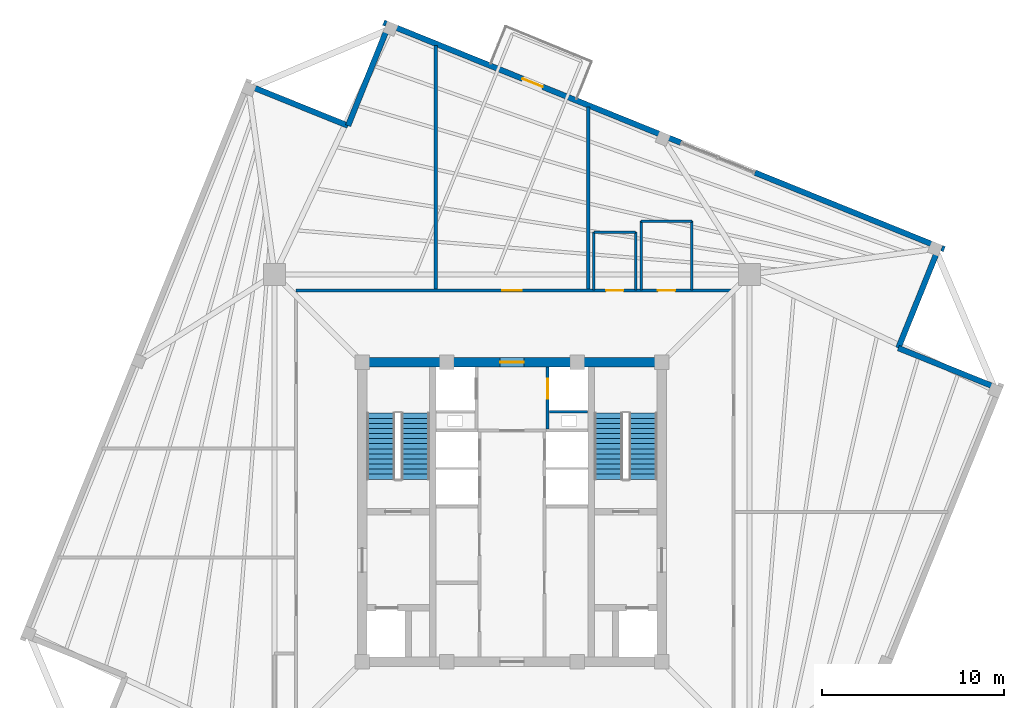
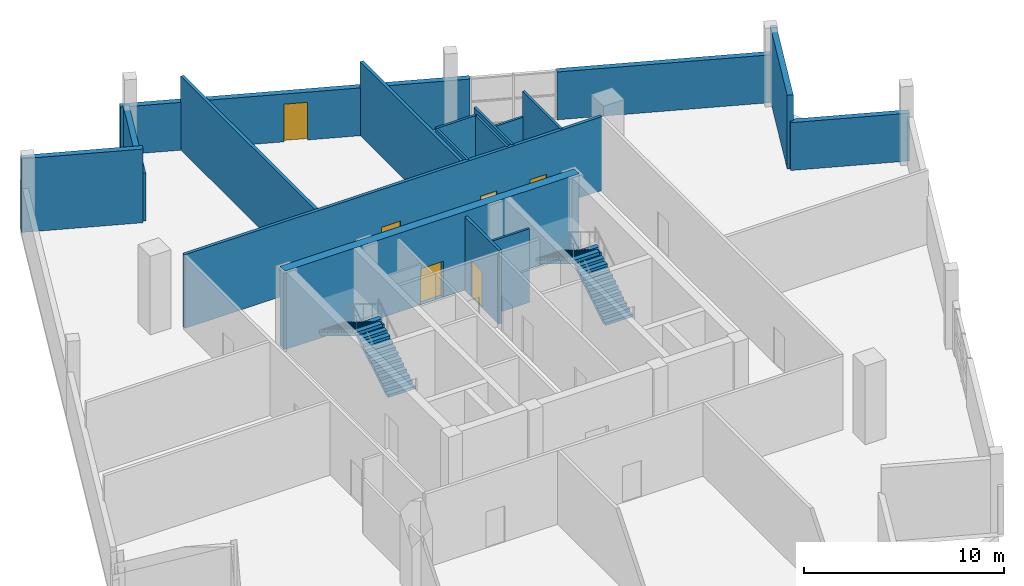
# One storey, part 7 of 9: 18 walls, 6 doors, 4 stair flights, 6 openings, 2 elements without a shape of their own.
"""IFC4 building model written with IfcOpenShell, lengths in metres."""

from ifc_helpers import new_model, si_unit, direction, frame, frame_2d, origin, place, context, subcontext, project, spatial, polyline, rectangle, outline, extrude, source, transform, mapped, material, layer, layer_set, type_object, element, fill, aggregate, save


model = new_model("IFC4")

# Units and contexts
model_context = context("Model", 3, precision=1e-05, world=origin(), true_north=direction((0.0, 1.0)))
body_context = subcontext(model_context, "Body", "Model", "MODEL_VIEW")
ifc_project = project(units=[si_unit("LENGTHUNIT", "METRE"), si_unit("AREAUNIT", "SQUARE_METRE"), si_unit("VOLUMEUNIT", "CUBIC_METRE"), si_unit("PLANEANGLEUNIT", "RADIAN"), si_unit("MASSUNIT", "GRAM", prefix="KILO"), si_unit("THERMODYNAMICTEMPERATUREUNIT", "KELVIN")], contexts=[model_context])

# Site, building, storey
site_placement = place(None, origin())
site = spatial("IfcSite", under=ifc_project, at=site_placement, CompositionType="ELEMENT")
building_placement = place(site_placement, origin())
building = spatial("IfcBuilding", under=site, at=building_placement, Name="Kosmvard Interchange Tower", CompositionType="ELEMENT")
storey_placement = place(building_placement, frame((0.0, 0.0, 316.800048828125)))
storey = spatial("IfcBuildingStorey", under=building, at=storey_placement, Name="L78", CompositionType="ELEMENT", Elevation=316.800048828125)

# Wall, opening, door
ifc_material_1 = material(Name="Fire-rated gypsum partition system")
ifc_layer_1 = layer(ifc_material_1, 0.159912109375, Name="Fire-rated gypsum partition system")
ifc_layer_set_1 = layer_set([ifc_layer_1], Name="Fire-rated gypsum partition system")
wall_type_1 = type_object("IfcWallType", Name="Core Compartment & Shuttle Lobby Partition 160", PredefinedType="PARTITIONING", material=ifc_layer_set_1)
wall_1_placement = place(storey_placement, frame((1.9599609375, 4.580078125, 0.0), z_axis=(0.0, 0.0, 1.0), x_axis=(0.0, 1.0, 0.0)))
wall_1 = element("IfcWall", 1, at=wall_1_placement, inside=storey, type_object=wall_type_1, Name="L78 North Core East Wall", PredefinedType="PARTITIONING", context=body_context, shape_type="SweptSolid", body=[
    extrude(rectangle(XDim=3.39990234375, YDim=0.159912109375, at=frame_2d((1.699951171875, 0.0))), origin(), (0.0, 0.0, 1.0), 4.5),
])
opening_1_placement = place(wall_1_placement, frame((1.669921875, 0.0, 0.0)))
opening_1 = element("IfcOpeningElement", 2, at=opening_1_placement, cuts=wall_1, Name="Opening LD-OBS2-L78", PredefinedType="OPENING", context=body_context, shape_type="SweptSolid", body=[
    extrude(rectangle(XDim=1.10009765625, YDim=2.199951171875, at=frame_2d((0.550048828125, 1.10009765625))), frame((0.0, 0.08984375, 0.0), z_axis=(0.0, -1.0, 0.0), x_axis=(1.0, 0.0, 0.0)), (0.0, 0.0, 1.0), 0.179931640625),
])
ifc_material_2 = material(Name="Brushed stainless steel sliding leaf", Category="steel")
door_type_1 = type_object("IfcDoorType", Name="Passenger Lift Sliding Landing Door 1100x2200 EI60", OperationType="DOUBLE_DOOR_SLIDING", PredefinedType="DOOR", material=ifc_material_2)
shared_shape_1 = source(origin(), body_context, "Body", "SweptSolid", [
    extrude(rectangle(XDim=1.10009765625, YDim=2.199951171875, at=frame_2d((0.550048828125, 1.10009765625))), frame((0.0, 0.02490234375, 0.0), z_axis=(0.0, -1.0, 0.0), x_axis=(1.0, 0.0, 0.0)), (0.0, 0.0, 1.0), 0.050048828125),
])
door_1_placement = place(opening_1_placement, origin())
door_1 = element("IfcDoor", 3, at=door_1_placement, inside=storey, type_object=door_type_1, Name="Lift OBS-2 Landing Door L78", OperationType="DOUBLE_DOOR_SLIDING", OverallHeight=2.199951171875, OverallWidth=1.10009765625, PredefinedType="DOOR", context=body_context, shape_type="MappedRepresentation", body=[
    mapped(shared_shape_1, transform((0.0, 0.0, 0.0), scale=1.0)),
])
fill(opening_1, door_1)

# Wall, openings, doors
ifc_layer_2 = layer(ifc_material_1, 0.179931640625, Name="Fire-rated gypsum partition system")
ifc_layer_set_2 = layer_set([ifc_layer_2], Name="Fire-rated gypsum partition system")
wall_type_2 = type_object("IfcWallType", Name="Corridor & Hotel Compartment Partition 180", PredefinedType="PARTITIONING", material=ifc_layer_set_2)
wall_2_placement = place(storey_placement, frame((-11.89990234375, 12.199951171875, 0.0), z_axis=(0.0, 0.0, 1.0), x_axis=(1.0, 0.0, 0.0)))
wall_2 = element("IfcWall", 4, at=wall_2_placement, inside=storey, type_object=wall_type_2, Name="L78 Corridor Wall CN", PredefinedType="PARTITIONING", context=body_context, shape_type="SweptSolid", body=[
    extrude(rectangle(XDim=24.099853515625, YDim=0.179931640625, at=frame_2d((12.0498046875, 0.0))), origin(), (0.0, 0.0, 1.0), 4.5),
])
opening_2_placement = place(wall_2_placement, frame((17.086181640625, 0.0, 0.0)))
opening_2 = element("IfcOpeningElement", 5, at=opening_2_placement, cuts=wall_2, Name="Opening L78-D01", PredefinedType="OPENING", context=body_context, shape_type="SweptSolid", body=[
    extrude(rectangle(XDim=0.949951171875, YDim=2.10009765625, at=frame_2d((0.47509765625, 1.050048828125))), frame((0.0, 0.10009765625, 0.0), z_axis=(0.0, -1.0, 0.0), x_axis=(1.0, 0.0, 0.0)), (0.0, 0.0, 1.0), 0.199951171875),
])
opening_3_placement = place(wall_2_placement, frame((19.93505859375, 0.0, 0.0)))
opening_3 = element("IfcOpeningElement", 6, at=opening_3_placement, cuts=wall_2, Name="Opening L78-D02", PredefinedType="OPENING", context=body_context, shape_type="SweptSolid", body=[
    extrude(rectangle(XDim=0.949951171875, YDim=2.10009765625, at=frame_2d((0.47509765625, 1.050048828125))), frame((0.0, 0.10009765625, 0.0), z_axis=(0.0, -1.0, 0.0), x_axis=(1.0, 0.0, 0.0)), (0.0, 0.0, 1.0), 0.199951171875),
])
opening_4_placement = place(wall_2_placement, frame((11.35009765625, 0.0, 0.0)))
opening_4 = element("IfcOpeningElement", 7, at=opening_4_placement, cuts=wall_2, Name="Opening L78-D04", PredefinedType="OPENING", context=body_context, shape_type="SweptSolid", body=[
    extrude(rectangle(XDim=1.10009765625, YDim=2.199951171875, at=frame_2d((0.550048828125, 1.10009765625))), frame((0.0, 0.10009765625, 0.0), z_axis=(0.0, -1.0, 0.0), x_axis=(1.0, 0.0, 0.0)), (0.0, 0.0, 1.0), 0.199951171875),
])
ifc_material_3 = material(Name="Laminated moisture-resistant timber", Category="wood")
door_type_2 = type_object("IfcDoorType", Name="Accessible Washroom Door 950x2100", OperationType="NOTDEFINED", PredefinedType="DOOR", material=ifc_material_3)
shared_shape_2 = source(origin(), body_context, "Body", "SweptSolid", [
    extrude(rectangle(XDim=0.949951171875, YDim=2.10009765625, at=frame_2d((0.47509765625, 1.050048828125))), frame((0.0, 0.02490234375, 0.0), z_axis=(0.0, -1.0, 0.0), x_axis=(1.0, 0.0, 0.0)), (0.0, 0.0, 1.0), 0.050048828125),
])
door_2_placement = place(opening_2_placement, origin())
door_2 = element("IfcDoor", 8, at=door_2_placement, inside=storey, type_object=door_type_2, Name="L78 Accessible Public Toilet Door", OperationType="SINGLE_SWING_LEFT", OverallHeight=2.10009765625, OverallWidth=0.949951171875, PredefinedType="DOOR", context=body_context, shape_type="MappedRepresentation", body=[
    mapped(shared_shape_2, transform((0.0, 0.0, 0.0), scale=1.0)),
])
fill(opening_2, door_2)
door_3_placement = place(opening_3_placement, origin())
door_3 = element("IfcDoor", 9, at=door_3_placement, inside=storey, type_object=door_type_2, Name="L78 Public Lookout Washroom Door", OperationType="SINGLE_SWING_RIGHT", OverallHeight=2.10009765625, OverallWidth=0.949951171875, PredefinedType="DOOR", context=body_context, shape_type="MappedRepresentation", body=[
    mapped(shared_shape_2, transform((0.0, 0.0, 0.0), scale=1.0)),
])
fill(opening_3, door_3)
ifc_material_4 = material(Name="Engineered oak fire-rated timber", Category="wood")
door_type_3 = type_object("IfcDoorType", Name="Office Suite Entrance Door 1100x2200 FD30S", OperationType="NOTDEFINED", PredefinedType="DOOR", material=ifc_material_4)
door_4_placement = place(opening_4_placement, origin())
door_4 = element("IfcDoor", 10, at=door_4_placement, inside=storey, type_object=door_type_3, Name="L78 Panoramic Lookout Gallery East Door", OperationType="SINGLE_SWING_RIGHT", OverallHeight=2.199951171875, OverallWidth=1.10009765625, PredefinedType="DOOR", context=body_context, shape_type="MappedRepresentation", body=[
    mapped(shared_shape_1, transform((0.0, 0.0, 0.0), scale=1.0)),
])
fill(opening_4, door_4)

# Walls
wall_3_placement = place(storey_placement, frame((-4.199951171875, 12.294921875, 0.0), z_axis=(0.0, 0.0, 1.0), x_axis=(0.0, 1.0, 0.0)))
element("IfcWall", 11, at=wall_3_placement, inside=storey, type_object=wall_type_2, Name="L78 Room Partition 01.1", PredefinedType="PARTITIONING", context=body_context, shape_type="SweptSolid", body=[
    extrude(rectangle(XDim=13.40478515625, YDim=0.179931640625, at=frame_2d((6.702392578125, 0.0))), origin(), (0.0, 0.0, 1.0), 4.5),
])
wall_4_placement = place(storey_placement, frame((4.199951171875, 12.294921875, 0.0), z_axis=(0.0, 0.0, 1.0), x_axis=(0.0, 1.0, 0.0)))
element("IfcWall", 12, at=wall_4_placement, inside=storey, type_object=wall_type_2, Name="L78 Room Partition 02.1", PredefinedType="PARTITIONING", context=body_context, shape_type="SweptSolid", body=[
    extrude(rectangle(XDim=10.010986328125, YDim=0.179931640625, at=frame_2d((5.00537109375, 0.0))), origin(), (0.0, 0.0, 1.0), 4.5),
])
ifc_material_5 = material(Name="Fire-rated gypsum shaftwall system")
ifc_layer_3 = layer(ifc_material_5, 0.1201171875, Name="Fire-rated gypsum shaftwall system")
ifc_layer_set_3 = layer_set([ifc_layer_3], Name="Fire-rated gypsum shaftwall system")
wall_type_3 = type_object("IfcWallType", Name="Shaft & Riser Fire Partition 120 EI60", PredefinedType="PARTITIONING", material=ifc_layer_set_3)
wall_5_placement = place(storey_placement, frame((2.06005859375, 5.52001953125, 0.0), z_axis=(0.0, 0.0, 1.0), x_axis=(1.0, 0.0, 0.0)))
element("IfcWall", 13, at=wall_5_placement, inside=storey, type_object=wall_type_3, Name="L78 Riser Shaft Divider E", PredefinedType="PARTITIONING", context=body_context, shape_type="SweptSolid", body=[
    extrude(rectangle(XDim=2.099853515625, YDim=0.1201171875, at=frame_2d((1.0498046875, 0.0))), origin(), (0.0, 0.0, 1.0), 4.5),
])

# Wall, opening, door
ifc_material_6 = material(Name="Concrete C60/75", Category="concrete")
ifc_layer_4 = layer(ifc_material_6, 0.5, Name="Concrete C60/75")
ifc_layer_set_4 = layer_set([ifc_layer_4], Name="Concrete C60/75")
wall_type_4 = type_object("IfcWallType", Name="Upper Core Shear Wall 500 C60/75", PredefinedType="SHEAR", material=ifc_layer_set_4)
wall_6_placement = place(storey_placement, frame((-8.5, 8.25, 0.0), z_axis=(0.0, 0.0, 1.0), x_axis=(1.0, 0.0, 0.0)))
wall_6 = element("IfcWall", 14, at=wall_6_placement, inside=storey, type_object=wall_type_4, Name="L78 Core Shear Wall CW-N", PredefinedType="SHEAR", context=body_context, shape_type="SweptSolid", body=[
    extrude(rectangle(XDim=17.0, YDim=0.5, at=frame_2d((8.5, 0.0))), origin(), (0.0, 0.0, 1.0), 4.800048828125),
])
opening_5_placement = place(wall_6_placement, frame((7.85009765625, 0.0, 0.0)))
opening_5 = element("IfcOpeningElement", 15, at=opening_5_placement, cuts=wall_6, Name="Opening L78-OD2", PredefinedType="OPENING", context=body_context, shape_type="SweptSolid", body=[
    extrude(rectangle(XDim=1.300048828125, YDim=2.199951171875, at=frame_2d((0.64990234375, 1.10009765625))), frame((0.0, 0.260009765625, 0.0), z_axis=(0.0, -1.0, 0.0), x_axis=(1.0, 0.0, 0.0)), (0.0, 0.0, 1.0), 0.52001953125),
])
ifc_material_7 = material(Name="Painted fire-rated steel leaf", Category="steel")
door_type_4 = type_object("IfcDoorType", Name="Firefighting Lobby Door 1300x2200 EI60", OperationType="NOTDEFINED", PredefinedType="DOOR", material=ifc_material_7)
shared_shape_3 = source(origin(), body_context, "Body", "SweptSolid", [
    extrude(rectangle(XDim=1.300048828125, YDim=2.199951171875, at=frame_2d((0.64990234375, 1.10009765625))), frame((0.0, 0.02490234375, 0.0), z_axis=(0.0, -1.0, 0.0), x_axis=(1.0, 0.0, 0.0)), (0.0, 0.0, 1.0), 0.050048828125),
])
door_5_placement = place(opening_5_placement, origin())
door_5 = element("IfcDoor", 16, at=door_5_placement, inside=storey, type_object=door_type_4, Name="L78 Shuttle Lobby North Door", OperationType="SINGLE_SWING_RIGHT", OverallHeight=2.199951171875, OverallWidth=1.300048828125, PredefinedType="DOOR", context=body_context, shape_type="MappedRepresentation", body=[
    mapped(shared_shape_3, transform((0.0, 0.0, 0.0), scale=1.0)),
])
fill(opening_5, door_5)

# Walls
ifc_material_8 = material(Name="Precast concrete C45/55", Category="concrete")
ifc_layer_5 = layer(ifc_material_8, 0.31005859375, Name="Precast concrete C45/55")
ifc_layer_set_5 = layer_set([ifc_layer_5], Name="Precast concrete C45/55")
wall_type_5 = type_object("IfcWallType", Name="Upper Tower Precast Pier Wall 310 C45/55", PredefinedType="STANDARD", material=ifc_layer_set_5)
wall_7_placement = place(storey_placement, frame((26.8408203125, 6.7841796875, 0.0), z_axis=(0.0, 0.0, 1.0), x_axis=(-0.927171722085, 0.374636620962, 0.0)))
element("IfcWall", 17, at=wall_7_placement, inside=storey, type_object=wall_type_5, Name="L78 Corner Precast Pier N-SE1", PredefinedType="STANDARD", context=body_context, shape_type="SweptSolid", body=[
    extrude(rectangle(XDim=6.0, YDim=0.31005859375, at=frame_2d((3.0, 0.0))), origin(), (0.0, 0.0, 1.0), 2.919921875),
])
wall_8_placement = place(storey_placement, frame((21.27783203125, 9.031982421875, 0.0), z_axis=(0.0, 0.0, 1.0), x_axis=(0.374602739196, 0.927185411764, 0.0)))
element("IfcWall", 18, at=wall_8_placement, inside=storey, type_object=wall_type_5, Name="L78 Corner Precast Pier N-SE2", PredefinedType="STANDARD", context=body_context, shape_type="SweptSolid", body=[
    extrude(rectangle(XDim=6.155029296875, YDim=0.31005859375, at=frame_2d((3.07763671875, 0.0))), origin(), (0.0, 0.0, 1.0), 4.5),
])
wall_9_placement = place(storey_placement, frame((-6.7841796875, 26.8408203125, 0.0), z_axis=(0.0, 0.0, 1.0), x_axis=(-0.374636620962, -0.927171722085, 0.0)))
element("IfcWall", 19, at=wall_9_placement, inside=storey, type_object=wall_type_5, Name="L78 Corner Precast Pier N-NE1", PredefinedType="STANDARD", context=body_context, shape_type="SweptSolid", body=[
    extrude(rectangle(XDim=6.0, YDim=0.31005859375, at=frame_2d((3.0, 0.0))), origin(), (0.0, 0.0, 1.0), 2.919921875),
])
wall_10_placement = place(storey_placement, frame((-9.031982421875, 21.27783203125, 0.0), z_axis=(0.0, 0.0, 1.0), x_axis=(-0.927185411764, 0.374602739196, 0.0)))
element("IfcWall", 20, at=wall_10_placement, inside=storey, type_object=wall_type_5, Name="L78 Corner Precast Pier N-NE2", PredefinedType="STANDARD", context=body_context, shape_type="SweptSolid", body=[
    extrude(rectangle(XDim=6.155029296875, YDim=0.31005859375, at=frame_2d((3.07763671875, 0.0))), origin(), (0.0, 0.0, 1.0), 4.5),
])
wall_11_placement = place(storey_placement, frame((23.812744140625, 14.478759765625, 0.0), z_axis=(0.0, 0.0, 1.0), x_axis=(-0.927178527544, 0.374619777991, 0.0)))
element("IfcWall", 21, at=wall_11_placement, inside=storey, type_object=wall_type_5, Name="L78 Facade Pier Wall EA", PredefinedType="STANDARD", context=body_context, shape_type="SweptSolid", body=[
    extrude(rectangle(XDim=11.2548828125, YDim=0.31005859375, at=frame_2d((5.62744140625, 0.0))), origin(), (0.0, 0.0, 1.0), 2.919921875),
])

# Wall, opening, door
wall_12_placement = place(storey_placement, frame((9.2978515625, 20.34326171875, 0.0), z_axis=(0.0, 0.0, 1.0), x_axis=(-0.927183654967, 0.374607087443, 0.0)))
wall_12 = element("IfcWall", 22, at=wall_12_placement, inside=storey, type_object=wall_type_5, Name="L78 Facade Pier Wall EB", PredefinedType="STANDARD", context=body_context, shape_type="SweptSolid", body=[
    extrude(rectangle(XDim=17.6552734375, YDim=0.31005859375, at=frame_2d((8.82763671875, 0.0))), origin(), (0.0, 0.0, 1.0), 2.919921875),
])
opening_6_placement = place(wall_12_placement, frame((8.199951171875, 0.0, 0.0)))
opening_6 = element("IfcOpeningElement", 23, at=opening_6_placement, cuts=wall_12, Name="Opening L78-TDE", PredefinedType="OPENING", context=body_context, shape_type="SweptSolid", body=[
    extrude(rectangle(XDim=1.199951171875, YDim=2.300048828125, at=frame_2d((0.60009765625, 1.14990234375))), frame((0.0, 0.1650390625, 0.0), z_axis=(0.0, -1.0, 0.0), x_axis=(1.0, 0.0, 0.0)), (0.0, 0.0, 1.0), 0.330078125),
])
ifc_material_9 = material(Name="Anodised aluminium and safety glass", Category="aluminium")
door_type_5 = type_object("IfcDoorType", Name="Cascade Terrace Glazed Door 1200x2300", OperationType="NOTDEFINED", PredefinedType="DOOR", material=ifc_material_9)
shared_shape_4 = source(origin(), body_context, "Body", "SweptSolid", [
    extrude(rectangle(XDim=1.199951171875, YDim=2.300048828125, at=frame_2d((0.60009765625, 1.14990234375))), frame((0.0, 0.02490234375, 0.0), z_axis=(0.0, -1.0, 0.0), x_axis=(1.0, 0.0, 0.0)), (0.0, 0.0, 1.0), 0.050048828125),
])
door_6_placement = place(opening_6_placement, origin())
door_6 = element("IfcDoor", 24, at=door_6_placement, inside=storey, type_object=door_type_5, Name="L78 Terrace Access Door OBD-L78-E", OperationType="SINGLE_SWING_LEFT", OverallHeight=2.300048828125, OverallWidth=1.199951171875, PredefinedType="DOOR", context=body_context, shape_type="MappedRepresentation", body=[
    mapped(shared_shape_4, transform((0.0, 0.0, 0.0), scale=1.0)),
])
fill(opening_6, door_6)

# Walls
ifc_material_10 = material(Name="Moisture-resistant gypsum partition")
ifc_layer_6 = layer(ifc_material_10, 0.135009765625, Name="Moisture-resistant gypsum partition")
ifc_layer_set_6 = layer_set([ifc_layer_6], Name="Moisture-resistant gypsum partition")
wall_type_6 = type_object("IfcWallType", Name="Wet Room Moisture-Resistant Partition 135", PredefinedType="PARTITIONING", material=ifc_layer_set_6)
wall_13_placement = place(storey_placement, frame((6.81103515625, 12.219970703125, 0.0), z_axis=(0.0, 0.0, 1.0), x_axis=(0.0, 1.0, 0.0)))
element("IfcWall", 25, at=wall_13_placement, inside=storey, type_object=wall_type_6, Name="L78 Washroom Partition AWC1-E", PredefinedType="PARTITIONING", context=body_context, shape_type="SweptSolid", body=[
    extrude(rectangle(XDim=3.199951171875, YDim=0.135009765625, at=frame_2d((1.60009765625, 0.0))), origin(), (0.0, 0.0, 1.0), 4.5),
])
wall_14_placement = place(storey_placement, frame((4.510986328125, 15.419921875, 0.0), z_axis=(0.0, 0.0, 1.0), x_axis=(1.0, 0.0, 0.0)))
element("IfcWall", 26, at=wall_14_placement, inside=storey, type_object=wall_type_6, Name="L78 Washroom Partition AWC1-N", PredefinedType="PARTITIONING", context=body_context, shape_type="SweptSolid", body=[
    extrude(rectangle(XDim=2.300048828125, YDim=0.135009765625, at=frame_2d((1.14990234375, 0.0))), origin(), (0.0, 0.0, 1.0), 4.5),
])
wall_15_placement = place(storey_placement, frame((4.510986328125, 12.219970703125, 0.0), z_axis=(0.0, 0.0, 1.0), x_axis=(0.0, 1.0, 0.0)))
element("IfcWall", 27, at=wall_15_placement, inside=storey, type_object=wall_type_6, Name="L78 Washroom Partition AWC1-W", PredefinedType="PARTITIONING", context=body_context, shape_type="SweptSolid", body=[
    extrude(rectangle(XDim=3.199951171875, YDim=0.135009765625, at=frame_2d((1.60009765625, 0.0))), origin(), (0.0, 0.0, 1.0), 4.5),
])
wall_16_placement = place(storey_placement, frame((9.91015625, 12.219970703125, 0.0), z_axis=(0.0, 0.0, 1.0), x_axis=(0.0, 1.0, 0.0)))
element("IfcWall", 28, at=wall_16_placement, inside=storey, type_object=wall_type_6, Name="L78 Washroom Partition WC1-E", PredefinedType="PARTITIONING", context=body_context, shape_type="SweptSolid", body=[
    extrude(rectangle(XDim=3.800048828125, YDim=0.135009765625, at=frame_2d((1.89990234375, 0.0))), origin(), (0.0, 0.0, 1.0), 4.5),
])
wall_17_placement = place(storey_placement, frame((7.110107421875, 16.02001953125, 0.0), z_axis=(0.0, 0.0, 1.0), x_axis=(1.0, 0.0, 0.0)))
element("IfcWall", 29, at=wall_17_placement, inside=storey, type_object=wall_type_6, Name="L78 Washroom Partition WC1-N", PredefinedType="PARTITIONING", context=body_context, shape_type="SweptSolid", body=[
    extrude(rectangle(XDim=2.800048828125, YDim=0.135009765625, at=frame_2d((1.39990234375, 0.0))), origin(), (0.0, 0.0, 1.0), 2.949951171875),
])
wall_18_placement = place(storey_placement, frame((7.110107421875, 12.219970703125, 0.0), z_axis=(0.0, 0.0, 1.0), x_axis=(0.0, 1.0, 0.0)))
element("IfcWall", 30, at=wall_18_placement, inside=storey, type_object=wall_type_6, Name="L78 Washroom Partition WC1-W", PredefinedType="PARTITIONING", context=body_context, shape_type="SweptSolid", body=[
    extrude(rectangle(XDim=3.800048828125, YDim=0.135009765625, at=frame_2d((1.89990234375, 0.0))), origin(), (0.0, 0.0, 1.0), 4.5),
])

# Stair, stair flights
ifc_material_11 = material(Name="Concrete C50/60", Category="concrete")
stair_type = type_object("IfcStairType", Name="Dog-Leg Core Exit Stair H4800 C50/60", PredefinedType="HALF_TURN_STAIR", material=ifc_material_11)
stair_1_placement = place(storey_placement, origin())
stair_1 = element("IfcStair", 31, at=stair_1_placement, inside=storey, type_object=stair_type, Name="L78 Protected Exit Stair ST-1", PredefinedType="HALF_TURN_STAIR")
stair_flight_type = type_object("IfcStairFlightType", Name="Core Stair Flight W1550 H4800 C50/60", PredefinedType="STRAIGHT", material=ifc_material_11)
shared_shape_5 = source(origin(), body_context, "Body", "SweptSolid", [
    extrude(outline(polyline([(0.0, 0.0), (0.0, 0.17138671875), (0.280029296875, 0.17138671875), (0.280029296875, 0.3427734375), (0.56005859375, 0.3427734375), (0.56005859375, 0.514404296875), (0.840087890625, 0.514404296875), (0.840087890625, 0.685791015625), (1.1201171875, 0.685791015625), (1.1201171875, 0.857177734375), (1.39990234375, 0.857177734375), (1.39990234375, 1.028564453125), (1.679931640625, 1.028564453125), (1.679931640625, 1.199951171875), (1.9599609375, 1.199951171875), (1.9599609375, 1.371337890625), (2.239990234375, 1.371337890625), (2.239990234375, 1.54296875), (2.52001953125, 1.54296875), (2.52001953125, 1.71435546875), (2.800048828125, 1.71435546875), (2.800048828125, 1.8857421875), (3.080078125, 1.8857421875), (3.080078125, 2.05712890625), (3.360107421875, 2.05712890625), (3.360107421875, 2.228515625), (3.639892578125, 2.228515625), (3.639892578125, 2.39990234375), (3.639892578125, 2.041015625), (0.30615234375, 0.0), (0.0, 0.0)])), frame((0.0, 0.77490234375, 0.0), z_axis=(0.0, -1.0, 0.0), x_axis=(1.0, 0.0, 0.0)), (0.0, 0.0, 1.0), 1.550048828125),
])
stair_flight_1_placement = place(storey_placement, frame((-5.31494140625, 1.800048828125, 0.0), z_axis=(0.0, 0.0, 1.0), x_axis=(0.0, 1.0, 0.0)))
stair_flight_1 = element("IfcStairFlight", 32, at=stair_flight_1_placement, type_object=stair_flight_type, Name="ST-1 flight 1", NumberOfRisers=14, NumberOfTreads=13, PredefinedType="STRAIGHT", RiserHeight=0.171428571, TreadLength=0.28, context=body_context, shape_type="MappedRepresentation", body=[
    mapped(shared_shape_5, transform((0.0, 0.0, 0.0), scale=1.0)),
])
stair_flight_2_placement = place(storey_placement, frame((-7.22509765625, 5.43994140625, 2.39990234375), z_axis=(0.0, 0.0, 1.0), x_axis=(0.0, -1.0, 0.0)))
stair_flight_2 = element("IfcStairFlight", 33, at=stair_flight_2_placement, type_object=stair_flight_type, Name="ST-1 flight 2", NumberOfRisers=14, NumberOfTreads=13, PredefinedType="STRAIGHT", RiserHeight=0.171428571, TreadLength=0.28, context=body_context, shape_type="MappedRepresentation", body=[
    mapped(shared_shape_5, transform((0.0, 0.0, 0.0), scale=1.0)),
])
aggregate(stair_1, [stair_flight_1, stair_flight_2])

stair_2_placement = place(storey_placement, origin())
stair_2 = element("IfcStair", 34, at=stair_2_placement, inside=storey, type_object=stair_type, Name="L78 Protected Exit Stair ST-2", PredefinedType="HALF_TURN_STAIR")
stair_flight_3_placement = place(storey_placement, frame((7.22509765625, 1.800048828125, 0.0), z_axis=(0.0, 0.0, 1.0), x_axis=(0.0, 1.0, 0.0)))
stair_flight_3 = element("IfcStairFlight", 35, at=stair_flight_3_placement, type_object=stair_flight_type, Name="ST-2 flight 1", NumberOfRisers=14, NumberOfTreads=13, PredefinedType="STRAIGHT", RiserHeight=0.171428571, TreadLength=0.28, context=body_context, shape_type="MappedRepresentation", body=[
    mapped(shared_shape_5, transform((0.0, 0.0, 0.0), scale=1.0)),
])
stair_flight_4_placement = place(storey_placement, frame((5.31494140625, 5.43994140625, 2.39990234375), z_axis=(0.0, 0.0, 1.0), x_axis=(0.0, -1.0, 0.0)))
stair_flight_4 = element("IfcStairFlight", 36, at=stair_flight_4_placement, type_object=stair_flight_type, Name="ST-2 flight 2", NumberOfRisers=14, NumberOfTreads=13, PredefinedType="STRAIGHT", RiserHeight=0.171428571, TreadLength=0.28, context=body_context, shape_type="MappedRepresentation", body=[
    mapped(shared_shape_5, transform((0.0, 0.0, 0.0), scale=1.0)),
])
aggregate(stair_2, [stair_flight_3, stair_flight_4])

save(model, "model.ifc")
